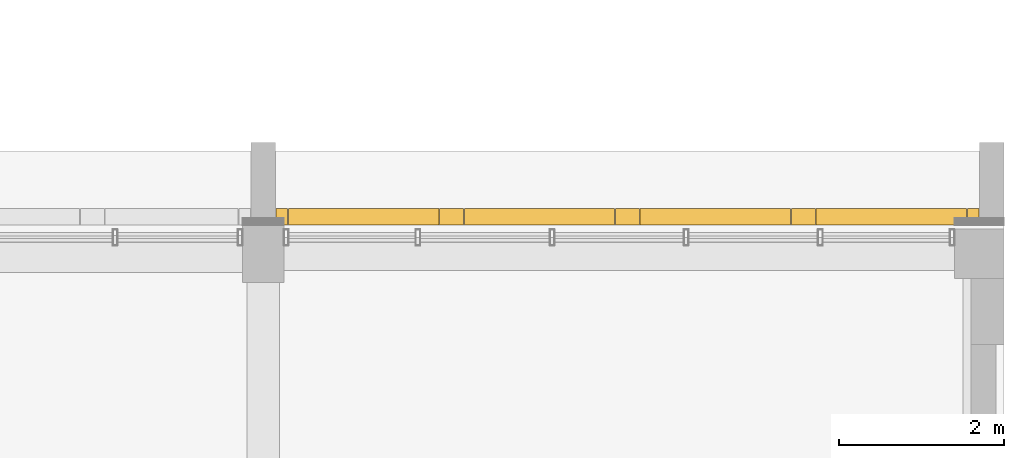
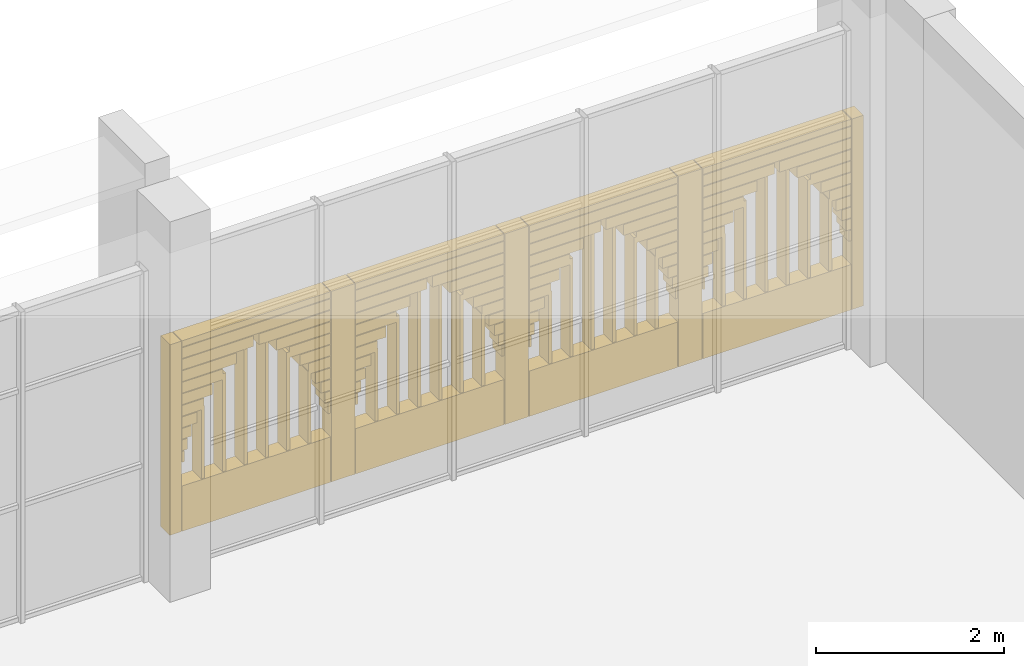
# One storey, part 125 of 125: 1 covering.
"""IFC4 building model written with IfcOpenShell, lengths in metres."""

from ifc_helpers import new_model, si_unit, direction, frame, origin, origin_2d, place, context, subcontext, project, spatial, rectangle, extrude, material, layer, layer_set, type_object, element, save


model = new_model("IFC4")

# Units and contexts
model_context = context("Model", 3, precision=1e-05, world=origin(), true_north=direction((0.0, 1.0)))
body_context = subcontext(model_context, "Body", "Model", "MODEL_VIEW")
ifc_project = project(units=[si_unit("LENGTHUNIT", "METRE"), si_unit("AREAUNIT", "SQUARE_METRE"), si_unit("VOLUMEUNIT", "CUBIC_METRE"), si_unit("PLANEANGLEUNIT", "RADIAN"), si_unit("MASSUNIT", "GRAM", prefix="KILO")], contexts=[model_context])

# Site, building, storey
site_placement = place(None, origin())
site = spatial("IfcSite", under=ifc_project, at=site_placement, CompositionType="ELEMENT")
building_placement = place(site_placement, origin())
building = spatial("IfcBuilding", under=site, at=building_placement, Name="Sun Court Science Centre", CompositionType="ELEMENT")
storey_placement = place(building_placement, frame((0.0, 0.0, 6.0)))
storey = spatial("IfcBuildingStorey", under=building, at=storey_placement, Name="L01", CompositionType="ELEMENT", Elevation=6.0)

# Covering
ifc_material = material(Name="Red sandstone", Category="masonry")
ifc_layer = layer(ifc_material, 0.199951171875)
ifc_layer_set = layer_set([ifc_layer], Name="Red sandstone")
covering_type = type_object("IfcCoveringType", Name="Arched jali screen 200", PredefinedType="CLADDING", material=ifc_layer_set)
covering_placement = place(storey_placement, frame((0.0, 0.0, -6.0)))
element("IfcCovering", 1, at=covering_placement, inside=storey, type_object=covering_type, Name="Arched jali screen north L01 04", PredefinedType="CLADDING", context=body_context, shape_type="SweptSolid", body=[
    extrude(rectangle(XDim=0.139892578125, YDim=0.199951171875, at=origin_2d()), frame((95.22509765625, 81.10009765625, 6.30517578125), z_axis=(0.0, 0.0, 1.0), x_axis=(1.0, 0.0, 0.0)), (0.0, 0.0, 1.0), 2.481201171875),
    extrude(rectangle(XDim=0.2900390625, YDim=0.199951171875, at=origin_2d()), frame((97.28759765625, 81.10009765625, 6.30517578125), z_axis=(0.0, 0.0, 1.0), x_axis=(1.0, 0.0, 0.0)), (0.0, 0.0, 1.0), 2.481201171875),
    extrude(rectangle(XDim=0.2900390625, YDim=0.199951171875, at=origin_2d()), frame((99.425048828125, 81.10009765625, 6.30517578125), z_axis=(0.0, 0.0, 1.0), x_axis=(1.0, 0.0, 0.0)), (0.0, 0.0, 1.0), 2.481201171875),
    extrude(rectangle(XDim=0.2900390625, YDim=0.199951171875, at=origin_2d()), frame((101.5625, 81.10009765625, 6.30517578125), z_axis=(0.0, 0.0, 1.0), x_axis=(1.0, 0.0, 0.0)), (0.0, 0.0, 1.0), 2.481201171875),
    extrude(rectangle(XDim=0.139892578125, YDim=0.199951171875, at=origin_2d()), frame((103.625, 81.10009765625, 6.30517578125), z_axis=(0.0, 0.0, 1.0), x_axis=(1.0, 0.0, 0.0)), (0.0, 0.0, 1.0), 2.481201171875),
    extrude(rectangle(XDim=1.827392578125, YDim=0.199951171875, at=origin_2d()), frame((96.21875, 81.10009765625, 6.30517578125), z_axis=(0.0, 0.0, 1.0), x_axis=(1.0, 0.0, 0.0)), (0.0, 0.0, 1.0), 0.590087890625),
    extrude(rectangle(XDim=0.028564453125, YDim=0.199951171875, at=origin_2d()), frame((95.3193359375, 81.10009765625, 7.205078125), z_axis=(0.0, 0.0, 1.0), x_axis=(1.0, 0.0, 0.0)), (0.0, 0.0, 1.0), 0.139892578125),
    extrude(rectangle(XDim=0.028564453125, YDim=0.199951171875, at=origin_2d()), frame((97.1181640625, 81.10009765625, 7.205078125), z_axis=(0.0, 0.0, 1.0), x_axis=(1.0, 0.0, 0.0)), (0.0, 0.0, 1.0), 0.139892578125),
    extrude(rectangle(XDim=0.066650390625, YDim=0.199951171875, at=origin_2d()), frame((95.33837890625, 81.10009765625, 7.35498046875), z_axis=(0.0, 0.0, 1.0), x_axis=(1.0, 0.0, 0.0)), (0.0, 0.0, 1.0), 0.139892578125),
    extrude(rectangle(XDim=0.066650390625, YDim=0.199951171875, at=origin_2d()), frame((97.09912109375, 81.10009765625, 7.35498046875), z_axis=(0.0, 0.0, 1.0), x_axis=(1.0, 0.0, 0.0)), (0.0, 0.0, 1.0), 0.139892578125),
    extrude(rectangle(XDim=0.118408203125, YDim=0.199951171875, at=origin_2d()), frame((95.3642578125, 81.10009765625, 7.5048828125), z_axis=(0.0, 0.0, 1.0), x_axis=(1.0, 0.0, 0.0)), (0.0, 0.0, 1.0), 0.139892578125),
    extrude(rectangle(XDim=0.118408203125, YDim=0.199951171875, at=origin_2d()), frame((97.0732421875, 81.10009765625, 7.5048828125), z_axis=(0.0, 0.0, 1.0), x_axis=(1.0, 0.0, 0.0)), (0.0, 0.0, 1.0), 0.139892578125),
    extrude(rectangle(XDim=0.185546875, YDim=0.199951171875, at=origin_2d()), frame((95.397705078125, 81.10009765625, 7.6552734375), z_axis=(0.0, 0.0, 1.0), x_axis=(1.0, 0.0, 0.0)), (0.0, 0.0, 1.0), 0.139892578125),
    extrude(rectangle(XDim=0.185546875, YDim=0.199951171875, at=origin_2d()), frame((97.039794921875, 81.10009765625, 7.6552734375), z_axis=(0.0, 0.0, 1.0), x_axis=(1.0, 0.0, 0.0)), (0.0, 0.0, 1.0), 0.139892578125),
    extrude(rectangle(XDim=0.27001953125, YDim=0.199951171875, at=origin_2d()), frame((95.43994140625, 81.10009765625, 7.80517578125), z_axis=(0.0, 0.0, 1.0), x_axis=(1.0, 0.0, 0.0)), (0.0, 0.0, 1.0), 0.139892578125),
    extrude(rectangle(XDim=0.27001953125, YDim=0.199951171875, at=origin_2d()), frame((96.99755859375, 81.10009765625, 7.80517578125), z_axis=(0.0, 0.0, 1.0), x_axis=(1.0, 0.0, 0.0)), (0.0, 0.0, 1.0), 0.139892578125),
    extrude(rectangle(XDim=0.374755859375, YDim=0.199951171875, at=origin_2d()), frame((95.492431640625, 81.10009765625, 7.955078125), z_axis=(0.0, 0.0, 1.0), x_axis=(1.0, 0.0, 0.0)), (0.0, 0.0, 1.0), 0.139892578125),
    extrude(rectangle(XDim=0.374755859375, YDim=0.199951171875, at=origin_2d()), frame((96.945068359375, 81.10009765625, 7.955078125), z_axis=(0.0, 0.0, 1.0), x_axis=(1.0, 0.0, 0.0)), (0.0, 0.0, 1.0), 0.139892578125),
    extrude(rectangle(XDim=0.50439453125, YDim=0.199951171875, at=origin_2d()), frame((95.55712890625, 81.10009765625, 8.10498046875), z_axis=(0.0, 0.0, 1.0), x_axis=(1.0, 0.0, 0.0)), (0.0, 0.0, 1.0), 0.139892578125),
    extrude(rectangle(XDim=0.50439453125, YDim=0.199951171875, at=origin_2d()), frame((96.88037109375, 81.10009765625, 8.10498046875), z_axis=(0.0, 0.0, 1.0), x_axis=(1.0, 0.0, 0.0)), (0.0, 0.0, 1.0), 0.139892578125),
    extrude(rectangle(XDim=0.66748046875, YDim=0.199951171875, at=origin_2d()), frame((95.638671875, 81.10009765625, 8.2548828125), z_axis=(0.0, 0.0, 1.0), x_axis=(1.0, 0.0, 0.0)), (0.0, 0.0, 1.0), 0.139892578125),
    extrude(rectangle(XDim=0.66748046875, YDim=0.199951171875, at=origin_2d()), frame((96.798828125, 81.10009765625, 8.2548828125), z_axis=(0.0, 0.0, 1.0), x_axis=(1.0, 0.0, 0.0)), (0.0, 0.0, 1.0), 0.139892578125),
    extrude(rectangle(XDim=0.881103515625, YDim=0.199951171875, at=origin_2d()), frame((95.74560546875, 81.10009765625, 8.4052734375), z_axis=(0.0, 0.0, 1.0), x_axis=(1.0, 0.0, 0.0)), (0.0, 0.0, 1.0), 0.139892578125),
    extrude(rectangle(XDim=0.881103515625, YDim=0.199951171875, at=origin_2d()), frame((96.69189453125, 81.10009765625, 8.4052734375), z_axis=(0.0, 0.0, 1.0), x_axis=(1.0, 0.0, 0.0)), (0.0, 0.0, 1.0), 0.139892578125),
    extrude(rectangle(XDim=1.827392578125, YDim=0.199951171875, at=origin_2d()), frame((96.21875, 81.10009765625, 8.55517578125), z_axis=(0.0, 0.0, 1.0), x_axis=(1.0, 0.0, 0.0)), (0.0, 0.0, 1.0), 0.139892578125),
    extrude(rectangle(XDim=1.827392578125, YDim=0.199951171875, at=origin_2d()), frame((96.21875, 81.10009765625, 8.705078125), z_axis=(0.0, 0.0, 1.0), x_axis=(1.0, 0.0, 0.0)), (0.0, 0.0, 1.0), 0.081298828125),
    extrude(rectangle(XDim=0.0400390625, YDim=0.199951171875, at=origin_2d()), frame((95.5625, 81.10009765625, 6.905029296875), z_axis=(0.0, 0.0, 1.0), x_axis=(1.0, 0.0, 0.0)), (0.0, 0.0, 1.0), 0.9365234375),
    extrude(rectangle(XDim=0.0400390625, YDim=0.199951171875, at=origin_2d()), frame((95.824951171875, 81.10009765625, 6.905029296875), z_axis=(0.0, 0.0, 1.0), x_axis=(1.0, 0.0, 0.0)), (0.0, 0.0, 1.0), 1.27587890625),
    extrude(rectangle(XDim=0.0400390625, YDim=0.199951171875, at=origin_2d()), frame((96.08740234375, 81.10009765625, 6.905029296875), z_axis=(0.0, 0.0, 1.0), x_axis=(1.0, 0.0, 0.0)), (0.0, 0.0, 1.0), 1.498046875),
    extrude(rectangle(XDim=0.0400390625, YDim=0.199951171875, at=origin_2d()), frame((96.35009765625, 81.10009765625, 6.905029296875), z_axis=(0.0, 0.0, 1.0), x_axis=(1.0, 0.0, 0.0)), (0.0, 0.0, 1.0), 1.498046875),
    extrude(rectangle(XDim=0.0400390625, YDim=0.199951171875, at=origin_2d()), frame((96.612548828125, 81.10009765625, 6.905029296875), z_axis=(0.0, 0.0, 1.0), x_axis=(1.0, 0.0, 0.0)), (0.0, 0.0, 1.0), 1.27587890625),
    extrude(rectangle(XDim=0.0400390625, YDim=0.199951171875, at=origin_2d()), frame((96.875, 81.10009765625, 6.905029296875), z_axis=(0.0, 0.0, 1.0), x_axis=(1.0, 0.0, 0.0)), (0.0, 0.0, 1.0), 0.9365234375),
    extrude(rectangle(XDim=1.827392578125, YDim=0.199951171875, at=origin_2d()), frame((98.356201171875, 81.10009765625, 6.30517578125), z_axis=(0.0, 0.0, 1.0), x_axis=(1.0, 0.0, 0.0)), (0.0, 0.0, 1.0), 0.590087890625),
    extrude(rectangle(XDim=0.028564453125, YDim=0.199951171875, at=origin_2d()), frame((97.456787109375, 81.10009765625, 7.205078125), z_axis=(0.0, 0.0, 1.0), x_axis=(1.0, 0.0, 0.0)), (0.0, 0.0, 1.0), 0.139892578125),
    extrude(rectangle(XDim=0.028564453125, YDim=0.199951171875, at=origin_2d()), frame((99.255615234375, 81.10009765625, 7.205078125), z_axis=(0.0, 0.0, 1.0), x_axis=(1.0, 0.0, 0.0)), (0.0, 0.0, 1.0), 0.139892578125),
    extrude(rectangle(XDim=0.066650390625, YDim=0.199951171875, at=origin_2d()), frame((97.475830078125, 81.10009765625, 7.35498046875), z_axis=(0.0, 0.0, 1.0), x_axis=(1.0, 0.0, 0.0)), (0.0, 0.0, 1.0), 0.139892578125),
    extrude(rectangle(XDim=0.066650390625, YDim=0.199951171875, at=origin_2d()), frame((99.23681640625, 81.10009765625, 7.35498046875), z_axis=(0.0, 0.0, 1.0), x_axis=(1.0, 0.0, 0.0)), (0.0, 0.0, 1.0), 0.139892578125),
    extrude(rectangle(XDim=0.118408203125, YDim=0.199951171875, at=origin_2d()), frame((97.501708984375, 81.10009765625, 7.5048828125), z_axis=(0.0, 0.0, 1.0), x_axis=(1.0, 0.0, 0.0)), (0.0, 0.0, 1.0), 0.139892578125),
    extrude(rectangle(XDim=0.118408203125, YDim=0.199951171875, at=origin_2d()), frame((99.210693359375, 81.10009765625, 7.5048828125), z_axis=(0.0, 0.0, 1.0), x_axis=(1.0, 0.0, 0.0)), (0.0, 0.0, 1.0), 0.139892578125),
    extrude(rectangle(XDim=0.185546875, YDim=0.199951171875, at=origin_2d()), frame((97.535400390625, 81.10009765625, 7.6552734375), z_axis=(0.0, 0.0, 1.0), x_axis=(1.0, 0.0, 0.0)), (0.0, 0.0, 1.0), 0.139892578125),
    extrude(rectangle(XDim=0.185546875, YDim=0.199951171875, at=origin_2d()), frame((99.17724609375, 81.10009765625, 7.6552734375), z_axis=(0.0, 0.0, 1.0), x_axis=(1.0, 0.0, 0.0)), (0.0, 0.0, 1.0), 0.139892578125),
    extrude(rectangle(XDim=0.27001953125, YDim=0.199951171875, at=origin_2d()), frame((97.577392578125, 81.10009765625, 7.80517578125), z_axis=(0.0, 0.0, 1.0), x_axis=(1.0, 0.0, 0.0)), (0.0, 0.0, 1.0), 0.139892578125),
    extrude(rectangle(XDim=0.27001953125, YDim=0.199951171875, at=origin_2d()), frame((99.135009765625, 81.10009765625, 7.80517578125), z_axis=(0.0, 0.0, 1.0), x_axis=(1.0, 0.0, 0.0)), (0.0, 0.0, 1.0), 0.139892578125),
    extrude(rectangle(XDim=0.374755859375, YDim=0.199951171875, at=origin_2d()), frame((97.6298828125, 81.10009765625, 7.955078125), z_axis=(0.0, 0.0, 1.0), x_axis=(1.0, 0.0, 0.0)), (0.0, 0.0, 1.0), 0.139892578125),
    extrude(rectangle(XDim=0.374755859375, YDim=0.199951171875, at=origin_2d()), frame((99.082763671875, 81.10009765625, 7.955078125), z_axis=(0.0, 0.0, 1.0), x_axis=(1.0, 0.0, 0.0)), (0.0, 0.0, 1.0), 0.139892578125),
    extrude(rectangle(XDim=0.50439453125, YDim=0.199951171875, at=origin_2d()), frame((97.694580078125, 81.10009765625, 8.10498046875), z_axis=(0.0, 0.0, 1.0), x_axis=(1.0, 0.0, 0.0)), (0.0, 0.0, 1.0), 0.139892578125),
    extrude(rectangle(XDim=0.50439453125, YDim=0.199951171875, at=origin_2d()), frame((99.017822265625, 81.10009765625, 8.10498046875), z_axis=(0.0, 0.0, 1.0), x_axis=(1.0, 0.0, 0.0)), (0.0, 0.0, 1.0), 0.139892578125),
    extrude(rectangle(XDim=0.66748046875, YDim=0.199951171875, at=origin_2d()), frame((97.776123046875, 81.10009765625, 8.2548828125), z_axis=(0.0, 0.0, 1.0), x_axis=(1.0, 0.0, 0.0)), (0.0, 0.0, 1.0), 0.139892578125),
    extrude(rectangle(XDim=0.66748046875, YDim=0.199951171875, at=origin_2d()), frame((98.936279296875, 81.10009765625, 8.2548828125), z_axis=(0.0, 0.0, 1.0), x_axis=(1.0, 0.0, 0.0)), (0.0, 0.0, 1.0), 0.139892578125),
    extrude(rectangle(XDim=0.881103515625, YDim=0.199951171875, at=origin_2d()), frame((97.883056640625, 81.10009765625, 8.4052734375), z_axis=(0.0, 0.0, 1.0), x_axis=(1.0, 0.0, 0.0)), (0.0, 0.0, 1.0), 0.139892578125),
    extrude(rectangle(XDim=0.881103515625, YDim=0.199951171875, at=origin_2d()), frame((98.82958984375, 81.10009765625, 8.4052734375), z_axis=(0.0, 0.0, 1.0), x_axis=(1.0, 0.0, 0.0)), (0.0, 0.0, 1.0), 0.139892578125),
    extrude(rectangle(XDim=1.827392578125, YDim=0.199951171875, at=origin_2d()), frame((98.356201171875, 81.10009765625, 8.55517578125), z_axis=(0.0, 0.0, 1.0), x_axis=(1.0, 0.0, 0.0)), (0.0, 0.0, 1.0), 0.139892578125),
    extrude(rectangle(XDim=1.827392578125, YDim=0.199951171875, at=origin_2d()), frame((98.356201171875, 81.10009765625, 8.705078125), z_axis=(0.0, 0.0, 1.0), x_axis=(1.0, 0.0, 0.0)), (0.0, 0.0, 1.0), 0.081298828125),
    extrude(rectangle(XDim=0.0400390625, YDim=0.199951171875, at=origin_2d()), frame((97.699951171875, 81.10009765625, 6.905029296875), z_axis=(0.0, 0.0, 1.0), x_axis=(1.0, 0.0, 0.0)), (0.0, 0.0, 1.0), 0.9365234375),
    extrude(rectangle(XDim=0.0400390625, YDim=0.199951171875, at=origin_2d()), frame((97.96240234375, 81.10009765625, 6.905029296875), z_axis=(0.0, 0.0, 1.0), x_axis=(1.0, 0.0, 0.0)), (0.0, 0.0, 1.0), 1.27587890625),
    extrude(rectangle(XDim=0.0400390625, YDim=0.199951171875, at=origin_2d()), frame((98.22509765625, 81.10009765625, 6.905029296875), z_axis=(0.0, 0.0, 1.0), x_axis=(1.0, 0.0, 0.0)), (0.0, 0.0, 1.0), 1.498046875),
    extrude(rectangle(XDim=0.0400390625, YDim=0.199951171875, at=origin_2d()), frame((98.487548828125, 81.10009765625, 6.905029296875), z_axis=(0.0, 0.0, 1.0), x_axis=(1.0, 0.0, 0.0)), (0.0, 0.0, 1.0), 1.498046875),
    extrude(rectangle(XDim=0.0400390625, YDim=0.199951171875, at=origin_2d()), frame((98.75, 81.10009765625, 6.905029296875), z_axis=(0.0, 0.0, 1.0), x_axis=(1.0, 0.0, 0.0)), (0.0, 0.0, 1.0), 1.27587890625),
    extrude(rectangle(XDim=0.0400390625, YDim=0.199951171875, at=origin_2d()), frame((99.012451171875, 81.10009765625, 6.905029296875), z_axis=(0.0, 0.0, 1.0), x_axis=(1.0, 0.0, 0.0)), (0.0, 0.0, 1.0), 0.9365234375),
    extrude(rectangle(XDim=1.827392578125, YDim=0.199951171875, at=origin_2d()), frame((100.49365234375, 81.10009765625, 6.30517578125), z_axis=(0.0, 0.0, 1.0), x_axis=(1.0, 0.0, 0.0)), (0.0, 0.0, 1.0), 0.590087890625),
    extrude(rectangle(XDim=0.028564453125, YDim=0.199951171875, at=origin_2d()), frame((99.59423828125, 81.10009765625, 7.205078125), z_axis=(0.0, 0.0, 1.0), x_axis=(1.0, 0.0, 0.0)), (0.0, 0.0, 1.0), 0.139892578125),
    extrude(rectangle(XDim=0.028564453125, YDim=0.199951171875, at=origin_2d()), frame((101.39306640625, 81.10009765625, 7.205078125), z_axis=(0.0, 0.0, 1.0), x_axis=(1.0, 0.0, 0.0)), (0.0, 0.0, 1.0), 0.139892578125),
    extrude(rectangle(XDim=0.066650390625, YDim=0.199951171875, at=origin_2d()), frame((99.61328125, 81.10009765625, 7.35498046875), z_axis=(0.0, 0.0, 1.0), x_axis=(1.0, 0.0, 0.0)), (0.0, 0.0, 1.0), 0.139892578125),
    extrude(rectangle(XDim=0.066650390625, YDim=0.199951171875, at=origin_2d()), frame((101.374267578125, 81.10009765625, 7.35498046875), z_axis=(0.0, 0.0, 1.0), x_axis=(1.0, 0.0, 0.0)), (0.0, 0.0, 1.0), 0.139892578125),
    extrude(rectangle(XDim=0.118408203125, YDim=0.199951171875, at=origin_2d()), frame((99.63916015625, 81.10009765625, 7.5048828125), z_axis=(0.0, 0.0, 1.0), x_axis=(1.0, 0.0, 0.0)), (0.0, 0.0, 1.0), 0.139892578125),
    extrude(rectangle(XDim=0.118408203125, YDim=0.199951171875, at=origin_2d()), frame((101.34814453125, 81.10009765625, 7.5048828125), z_axis=(0.0, 0.0, 1.0), x_axis=(1.0, 0.0, 0.0)), (0.0, 0.0, 1.0), 0.139892578125),
    extrude(rectangle(XDim=0.185546875, YDim=0.199951171875, at=origin_2d()), frame((99.6728515625, 81.10009765625, 7.6552734375), z_axis=(0.0, 0.0, 1.0), x_axis=(1.0, 0.0, 0.0)), (0.0, 0.0, 1.0), 0.139892578125),
    extrude(rectangle(XDim=0.185546875, YDim=0.199951171875, at=origin_2d()), frame((101.314697265625, 81.10009765625, 7.6552734375), z_axis=(0.0, 0.0, 1.0), x_axis=(1.0, 0.0, 0.0)), (0.0, 0.0, 1.0), 0.139892578125),
    extrude(rectangle(XDim=0.27001953125, YDim=0.199951171875, at=origin_2d()), frame((99.715087890625, 81.10009765625, 7.80517578125), z_axis=(0.0, 0.0, 1.0), x_axis=(1.0, 0.0, 0.0)), (0.0, 0.0, 1.0), 0.139892578125),
    extrude(rectangle(XDim=0.27001953125, YDim=0.199951171875, at=origin_2d()), frame((101.2724609375, 81.10009765625, 7.80517578125), z_axis=(0.0, 0.0, 1.0), x_axis=(1.0, 0.0, 0.0)), (0.0, 0.0, 1.0), 0.139892578125),
    extrude(rectangle(XDim=0.374755859375, YDim=0.199951171875, at=origin_2d()), frame((99.767333984375, 81.10009765625, 7.955078125), z_axis=(0.0, 0.0, 1.0), x_axis=(1.0, 0.0, 0.0)), (0.0, 0.0, 1.0), 0.139892578125),
    extrude(rectangle(XDim=0.374755859375, YDim=0.199951171875, at=origin_2d()), frame((101.22021484375, 81.10009765625, 7.955078125), z_axis=(0.0, 0.0, 1.0), x_axis=(1.0, 0.0, 0.0)), (0.0, 0.0, 1.0), 0.139892578125),
    extrude(rectangle(XDim=0.50439453125, YDim=0.199951171875, at=origin_2d()), frame((99.832275390625, 81.10009765625, 8.10498046875), z_axis=(0.0, 0.0, 1.0), x_axis=(1.0, 0.0, 0.0)), (0.0, 0.0, 1.0), 0.139892578125),
    extrude(rectangle(XDim=0.50439453125, YDim=0.199951171875, at=origin_2d()), frame((101.1552734375, 81.10009765625, 8.10498046875), z_axis=(0.0, 0.0, 1.0), x_axis=(1.0, 0.0, 0.0)), (0.0, 0.0, 1.0), 0.139892578125),
    extrude(rectangle(XDim=0.66748046875, YDim=0.199951171875, at=origin_2d()), frame((99.913818359375, 81.10009765625, 8.2548828125), z_axis=(0.0, 0.0, 1.0), x_axis=(1.0, 0.0, 0.0)), (0.0, 0.0, 1.0), 0.139892578125),
    extrude(rectangle(XDim=0.66748046875, YDim=0.199951171875, at=origin_2d()), frame((101.07373046875, 81.10009765625, 8.2548828125), z_axis=(0.0, 0.0, 1.0), x_axis=(1.0, 0.0, 0.0)), (0.0, 0.0, 1.0), 0.139892578125),
    extrude(rectangle(XDim=0.881103515625, YDim=0.199951171875, at=origin_2d()), frame((100.0205078125, 81.10009765625, 8.4052734375), z_axis=(0.0, 0.0, 1.0), x_axis=(1.0, 0.0, 0.0)), (0.0, 0.0, 1.0), 0.139892578125),
    extrude(rectangle(XDim=0.881103515625, YDim=0.199951171875, at=origin_2d()), frame((100.967041015625, 81.10009765625, 8.4052734375), z_axis=(0.0, 0.0, 1.0), x_axis=(1.0, 0.0, 0.0)), (0.0, 0.0, 1.0), 0.139892578125),
    extrude(rectangle(XDim=1.827392578125, YDim=0.199951171875, at=origin_2d()), frame((100.49365234375, 81.10009765625, 8.55517578125), z_axis=(0.0, 0.0, 1.0), x_axis=(1.0, 0.0, 0.0)), (0.0, 0.0, 1.0), 0.139892578125),
    extrude(rectangle(XDim=1.827392578125, YDim=0.199951171875, at=origin_2d()), frame((100.49365234375, 81.10009765625, 8.705078125), z_axis=(0.0, 0.0, 1.0), x_axis=(1.0, 0.0, 0.0)), (0.0, 0.0, 1.0), 0.081298828125),
    extrude(rectangle(XDim=0.0400390625, YDim=0.199951171875, at=origin_2d()), frame((99.83740234375, 81.10009765625, 6.905029296875), z_axis=(0.0, 0.0, 1.0), x_axis=(1.0, 0.0, 0.0)), (0.0, 0.0, 1.0), 0.9365234375),
    extrude(rectangle(XDim=0.0400390625, YDim=0.199951171875, at=origin_2d()), frame((100.10009765625, 81.10009765625, 6.905029296875), z_axis=(0.0, 0.0, 1.0), x_axis=(1.0, 0.0, 0.0)), (0.0, 0.0, 1.0), 1.27587890625),
    extrude(rectangle(XDim=0.0400390625, YDim=0.199951171875, at=origin_2d()), frame((100.362548828125, 81.10009765625, 6.905029296875), z_axis=(0.0, 0.0, 1.0), x_axis=(1.0, 0.0, 0.0)), (0.0, 0.0, 1.0), 1.498046875),
    extrude(rectangle(XDim=0.0400390625, YDim=0.199951171875, at=origin_2d()), frame((100.625, 81.10009765625, 6.905029296875), z_axis=(0.0, 0.0, 1.0), x_axis=(1.0, 0.0, 0.0)), (0.0, 0.0, 1.0), 1.498046875),
    extrude(rectangle(XDim=0.0400390625, YDim=0.199951171875, at=origin_2d()), frame((100.887451171875, 81.10009765625, 6.905029296875), z_axis=(0.0, 0.0, 1.0), x_axis=(1.0, 0.0, 0.0)), (0.0, 0.0, 1.0), 1.27587890625),
    extrude(rectangle(XDim=0.0400390625, YDim=0.199951171875, at=origin_2d()), frame((101.14990234375, 81.10009765625, 6.905029296875), z_axis=(0.0, 0.0, 1.0), x_axis=(1.0, 0.0, 0.0)), (0.0, 0.0, 1.0), 0.9365234375),
    extrude(rectangle(XDim=1.827392578125, YDim=0.199951171875, at=origin_2d()), frame((102.63134765625, 81.10009765625, 6.30517578125), z_axis=(0.0, 0.0, 1.0), x_axis=(1.0, 0.0, 0.0)), (0.0, 0.0, 1.0), 0.590087890625),
    extrude(rectangle(XDim=0.028564453125, YDim=0.199951171875, at=origin_2d()), frame((101.73193359375, 81.10009765625, 7.205078125), z_axis=(0.0, 0.0, 1.0), x_axis=(1.0, 0.0, 0.0)), (0.0, 0.0, 1.0), 0.139892578125),
    extrude(rectangle(XDim=0.028564453125, YDim=0.199951171875, at=origin_2d()), frame((103.53076171875, 81.10009765625, 7.205078125), z_axis=(0.0, 0.0, 1.0), x_axis=(1.0, 0.0, 0.0)), (0.0, 0.0, 1.0), 0.139892578125),
    extrude(rectangle(XDim=0.066650390625, YDim=0.199951171875, at=origin_2d()), frame((101.750732421875, 81.10009765625, 7.35498046875), z_axis=(0.0, 0.0, 1.0), x_axis=(1.0, 0.0, 0.0)), (0.0, 0.0, 1.0), 0.139892578125),
    extrude(rectangle(XDim=0.066650390625, YDim=0.199951171875, at=origin_2d()), frame((103.51171875, 81.10009765625, 7.35498046875), z_axis=(0.0, 0.0, 1.0), x_axis=(1.0, 0.0, 0.0)), (0.0, 0.0, 1.0), 0.139892578125),
    extrude(rectangle(XDim=0.118408203125, YDim=0.199951171875, at=origin_2d()), frame((101.77685546875, 81.10009765625, 7.5048828125), z_axis=(0.0, 0.0, 1.0), x_axis=(1.0, 0.0, 0.0)), (0.0, 0.0, 1.0), 0.139892578125),
    extrude(rectangle(XDim=0.118408203125, YDim=0.199951171875, at=origin_2d()), frame((103.48583984375, 81.10009765625, 7.5048828125), z_axis=(0.0, 0.0, 1.0), x_axis=(1.0, 0.0, 0.0)), (0.0, 0.0, 1.0), 0.139892578125),
    extrude(rectangle(XDim=0.185546875, YDim=0.199951171875, at=origin_2d()), frame((101.810302734375, 81.10009765625, 7.6552734375), z_axis=(0.0, 0.0, 1.0), x_axis=(1.0, 0.0, 0.0)), (0.0, 0.0, 1.0), 0.139892578125),
    extrude(rectangle(XDim=0.185546875, YDim=0.199951171875, at=origin_2d()), frame((103.4521484375, 81.10009765625, 7.6552734375), z_axis=(0.0, 0.0, 1.0), x_axis=(1.0, 0.0, 0.0)), (0.0, 0.0, 1.0), 0.139892578125),
    extrude(rectangle(XDim=0.27001953125, YDim=0.199951171875, at=origin_2d()), frame((101.8525390625, 81.10009765625, 7.80517578125), z_axis=(0.0, 0.0, 1.0), x_axis=(1.0, 0.0, 0.0)), (0.0, 0.0, 1.0), 0.139892578125),
    extrude(rectangle(XDim=0.27001953125, YDim=0.199951171875, at=origin_2d()), frame((103.409912109375, 81.10009765625, 7.80517578125), z_axis=(0.0, 0.0, 1.0), x_axis=(1.0, 0.0, 0.0)), (0.0, 0.0, 1.0), 0.139892578125),
    extrude(rectangle(XDim=0.374755859375, YDim=0.199951171875, at=origin_2d()), frame((101.90478515625, 81.10009765625, 7.955078125), z_axis=(0.0, 0.0, 1.0), x_axis=(1.0, 0.0, 0.0)), (0.0, 0.0, 1.0), 0.139892578125),
    extrude(rectangle(XDim=0.374755859375, YDim=0.199951171875, at=origin_2d()), frame((103.357666015625, 81.10009765625, 7.955078125), z_axis=(0.0, 0.0, 1.0), x_axis=(1.0, 0.0, 0.0)), (0.0, 0.0, 1.0), 0.139892578125),
    extrude(rectangle(XDim=0.50439453125, YDim=0.199951171875, at=origin_2d()), frame((101.9697265625, 81.10009765625, 8.10498046875), z_axis=(0.0, 0.0, 1.0), x_axis=(1.0, 0.0, 0.0)), (0.0, 0.0, 1.0), 0.139892578125),
    extrude(rectangle(XDim=0.50439453125, YDim=0.199951171875, at=origin_2d()), frame((103.292724609375, 81.10009765625, 8.10498046875), z_axis=(0.0, 0.0, 1.0), x_axis=(1.0, 0.0, 0.0)), (0.0, 0.0, 1.0), 0.139892578125),
    extrude(rectangle(XDim=0.66748046875, YDim=0.199951171875, at=origin_2d()), frame((102.05126953125, 81.10009765625, 8.2548828125), z_axis=(0.0, 0.0, 1.0), x_axis=(1.0, 0.0, 0.0)), (0.0, 0.0, 1.0), 0.139892578125),
    extrude(rectangle(XDim=0.66748046875, YDim=0.199951171875, at=origin_2d()), frame((103.211181640625, 81.10009765625, 8.2548828125), z_axis=(0.0, 0.0, 1.0), x_axis=(1.0, 0.0, 0.0)), (0.0, 0.0, 1.0), 0.139892578125),
    extrude(rectangle(XDim=0.881103515625, YDim=0.199951171875, at=origin_2d()), frame((102.157958984375, 81.10009765625, 8.4052734375), z_axis=(0.0, 0.0, 1.0), x_axis=(1.0, 0.0, 0.0)), (0.0, 0.0, 1.0), 0.139892578125),
    extrude(rectangle(XDim=0.881103515625, YDim=0.199951171875, at=origin_2d()), frame((103.1044921875, 81.10009765625, 8.4052734375), z_axis=(0.0, 0.0, 1.0), x_axis=(1.0, 0.0, 0.0)), (0.0, 0.0, 1.0), 0.139892578125),
    extrude(rectangle(XDim=1.827392578125, YDim=0.199951171875, at=origin_2d()), frame((102.63134765625, 81.10009765625, 8.55517578125), z_axis=(0.0, 0.0, 1.0), x_axis=(1.0, 0.0, 0.0)), (0.0, 0.0, 1.0), 0.139892578125),
    extrude(rectangle(XDim=1.827392578125, YDim=0.199951171875, at=origin_2d()), frame((102.63134765625, 81.10009765625, 8.705078125), z_axis=(0.0, 0.0, 1.0), x_axis=(1.0, 0.0, 0.0)), (0.0, 0.0, 1.0), 0.081298828125),
    extrude(rectangle(XDim=0.0400390625, YDim=0.199951171875, at=origin_2d()), frame((101.97509765625, 81.10009765625, 6.905029296875), z_axis=(0.0, 0.0, 1.0), x_axis=(1.0, 0.0, 0.0)), (0.0, 0.0, 1.0), 0.9365234375),
    extrude(rectangle(XDim=0.0400390625, YDim=0.199951171875, at=origin_2d()), frame((102.237548828125, 81.10009765625, 6.905029296875), z_axis=(0.0, 0.0, 1.0), x_axis=(1.0, 0.0, 0.0)), (0.0, 0.0, 1.0), 1.27587890625),
    extrude(rectangle(XDim=0.0400390625, YDim=0.199951171875, at=origin_2d()), frame((102.5, 81.10009765625, 6.905029296875), z_axis=(0.0, 0.0, 1.0), x_axis=(1.0, 0.0, 0.0)), (0.0, 0.0, 1.0), 1.498046875),
    extrude(rectangle(XDim=0.0400390625, YDim=0.199951171875, at=origin_2d()), frame((102.762451171875, 81.10009765625, 6.905029296875), z_axis=(0.0, 0.0, 1.0), x_axis=(1.0, 0.0, 0.0)), (0.0, 0.0, 1.0), 1.498046875),
    extrude(rectangle(XDim=0.0400390625, YDim=0.199951171875, at=origin_2d()), frame((103.02490234375, 81.10009765625, 6.905029296875), z_axis=(0.0, 0.0, 1.0), x_axis=(1.0, 0.0, 0.0)), (0.0, 0.0, 1.0), 1.27587890625),
    extrude(rectangle(XDim=0.0400390625, YDim=0.199951171875, at=origin_2d()), frame((103.28759765625, 81.10009765625, 6.905029296875), z_axis=(0.0, 0.0, 1.0), x_axis=(1.0, 0.0, 0.0)), (0.0, 0.0, 1.0), 0.9365234375),
])

save(model, "model.ifc")
